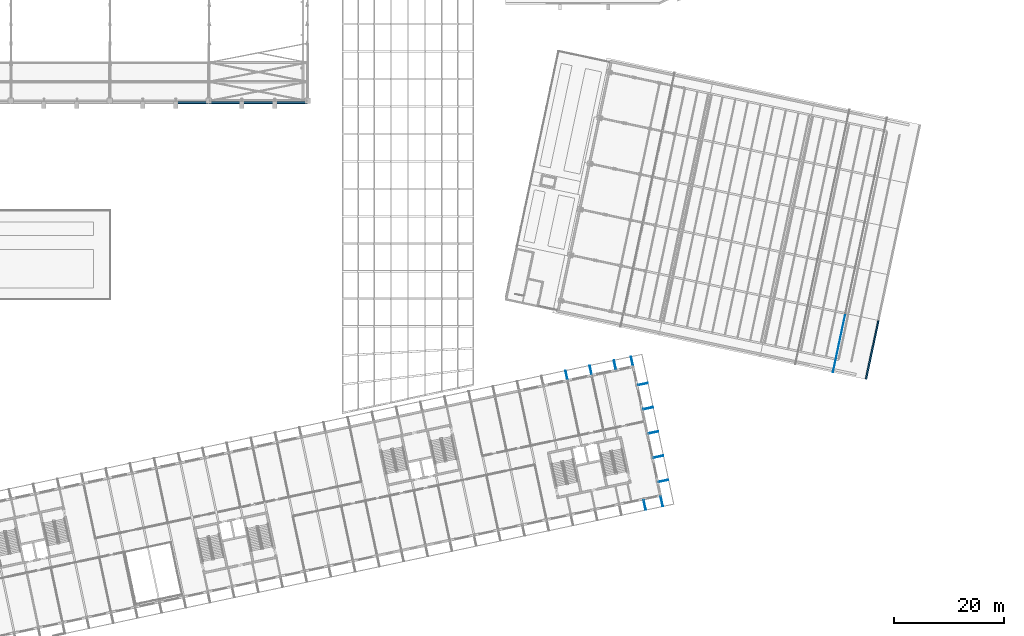
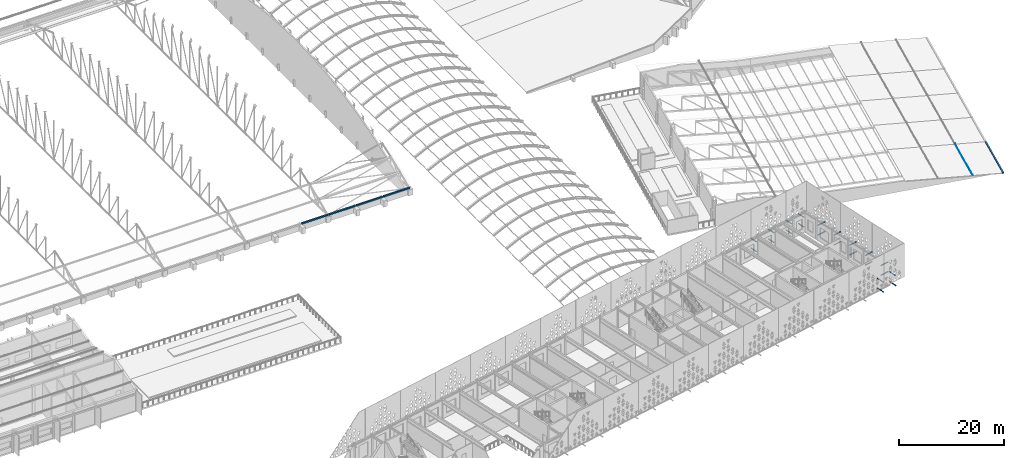
# One storey, part 136 of 196: 28 discrete accessories.
"""IFC4 building model written with IfcOpenShell, lengths in metres."""

from ifc_helpers import new_model, si_unit, direction, frame, origin, origin_2d, place, context, subcontext, project, spatial, polyline, rectangle, outline, extrude, material, material_profile, profile_set, type_object, element, save


model = new_model("IFC4")

# Units and contexts
model_context = context("Model", 3, precision=1e-05, world=origin(), true_north=direction((0.0, 1.0)))
body_context = subcontext(model_context, "Body", "Model", "MODEL_VIEW")
ifc_project = project(units=[si_unit("LENGTHUNIT", "METRE"), si_unit("AREAUNIT", "SQUARE_METRE"), si_unit("VOLUMEUNIT", "CUBIC_METRE"), si_unit("PLANEANGLEUNIT", "RADIAN"), si_unit("MASSUNIT", "GRAM", prefix="KILO")], contexts=[model_context])

# Site, building, storey
site_placement = place(None, origin())
site = spatial("IfcSite", under=ifc_project, at=site_placement, CompositionType="ELEMENT")
building_placement = place(site_placement, origin())
building = spatial("IfcBuilding", under=site, at=building_placement, Name="Okhra Congress Centre", CompositionType="ELEMENT")
storey_placement = place(building_placement, frame((0.0, 0.0, 12.0)))
storey = spatial("IfcBuildingStorey", under=building, at=storey_placement, Name="L02", CompositionType="ELEMENT", Elevation=12.0)

# Discrete accessories
ifc_material_1 = material(Name="Stainless steel box gutter with self-regulating heating cable", Category="steel")
discrete_accessory_type_1 = type_object("IfcDiscreteAccessoryType", Name="Heated box gutter 350x300", PredefinedType="USERDEFINED", material=ifc_material_1)
for number, where, z_axis, x_axis, name in (
    (1, (133.0, 131.69189453125, 1.59228515625), (0.0, 0.0, 1.0), (1.0, 0.0, 0.0), "Heated box gutter"),
    (2, (139.0, 131.69189453125, 1.59228515625), (0.0, 0.0, 1.0), (1.0, 0.0, 0.0), "Heated box gutter"),
    (3, (145.0, 131.69189453125, 1.59228515625), (0.0, 0.0, 1.0), (1.0, 0.0, 0.0), "Heated box gutter"),
    (4, (151.0, 131.69189453125, 1.59228515625), (0.0, 0.0, 1.0), (1.0, 0.0, 0.0), "Heated box gutter"),
):
    element("IfcDiscreteAccessory", number, at=place(storey_placement, frame(where, z_axis=z_axis, x_axis=x_axis)), inside=storey, type_object=discrete_accessory_type_1, Name=name, ObjectType="HEATED GUTTER", PredefinedType="USERDEFINED", context=body_context, shape_type="SweptSolid", body=[
        extrude(rectangle(XDim=5.800048828125, YDim=0.35009765625, at=origin_2d()), origin(), (0.0, 0.0, 1.0), 0.300048828125),
    ])
discrete_accessory_type_2 = type_object("IfcDiscreteAccessoryType", Name="Heated eaves gutter 300x300", PredefinedType="USERDEFINED", material=ifc_material_1)
discrete_accessory_1_placement = place(storey_placement, frame((256.67529296875, 86.70947265625, -0.09423828125), z_axis=(0.0, 0.0, 1.0), x_axis=(0.978147600734, -0.207911690818, 0.0)))
element("IfcDiscreteAccessory", 5, at=discrete_accessory_1_placement, inside=storey, type_object=discrete_accessory_type_2, Name="Heated eaves gutter", ObjectType="HEATED GUTTER", PredefinedType="USERDEFINED", context=body_context, shape_type="SweptSolid", body=[
    extrude(rectangle(XDim=0.300048828125, YDim=10.85009765625, at=origin_2d()), origin(), (0.0, 0.0, 1.0), 0.300048828125),
])
ifc_material_2 = material(Name="Steel S355J2 outrigger, galvanised", Category="steel")
ifc_material_profile = material_profile(ifc_material_2, rectangle(XDim=0.1201171875, YDim=0.1201171875, at=origin_2d()), Name="Screen outrigger bracket 120x120")
ifc_profile_set = profile_set([ifc_material_profile], Name="Steel S355J2 outrigger, galvanised")
discrete_accessory_type_3 = type_object("IfcDiscreteAccessoryType", Name="Screen outrigger bracket 120x120", PredefinedType="BRACKET", material=ifc_profile_set)
for number, where, z_axis, x_axis, name in (
    (6, (201.230224609375, 81.374755859375, 0.81005859375), (-0.207920316953, 0.978145767152, 0.0), (-0.978145767152, -0.207920316953, 0.0), "Screen outrigger 607"),
    (7, (201.230224609375, 81.374755859375, 3.070068359375), (-0.207920316953, 0.978145767152, 0.0), (-0.978145767152, -0.207920316953, 0.0), "Screen outrigger 608"),
):
    element("IfcDiscreteAccessory", number, at=place(storey_placement, frame(where, z_axis=z_axis, x_axis=x_axis)), inside=storey, type_object=discrete_accessory_type_3, Name=name, PredefinedType="BRACKET", context=body_context, shape_type="SweptSolid", body=[
        extrude(rectangle(XDim=0.1201171875, YDim=0.1201171875, at=origin_2d()), origin(), (0.0, 0.0, 1.0), 1.565185546875),
    ])
for number, where, z_axis, x_axis, name in (
    (8, (205.6318359375, 82.310546875, 0.81005859375), (-0.207802780084, 0.978170744088, 0.0), (-0.978170744088, -0.207802780084, 0.0), "Screen outrigger 629"),
    (9, (205.6318359375, 82.310546875, 3.070068359375), (-0.207802780084, 0.978170744088, 0.0), (-0.978170744088, -0.207802780084, 0.0), "Screen outrigger 630"),
):
    element("IfcDiscreteAccessory", number, at=place(storey_placement, frame(where, z_axis=z_axis, x_axis=x_axis)), inside=storey, type_object=discrete_accessory_type_3, Name=name, PredefinedType="BRACKET", context=body_context, shape_type="SweptSolid", body=[
        extrude(rectangle(XDim=0.1201171875, YDim=0.1201171875, at=origin_2d()), origin(), (0.0, 0.0, 1.0), 1.56494140625),
    ])
for number, where, z_axis, x_axis, name in (
    (10, (215.114990234375, 59.340087890625, 0.81005859375), (0.207913352163, -0.978147247602, 0.0), (0.978147247602, 0.207913352163, 0.0), "Screen outrigger 640"),
    (11, (215.114990234375, 59.340087890625, 3.070068359375), (0.207913352163, -0.978147247602, 0.0), (0.978147247602, 0.207913352163, 0.0), "Screen outrigger 641"),
):
    element("IfcDiscreteAccessory", number, at=place(storey_placement, frame(where, z_axis=z_axis, x_axis=x_axis)), inside=storey, type_object=discrete_accessory_type_3, Name=name, PredefinedType="BRACKET", context=body_context, shape_type="SweptSolid", body=[
        extrude(rectangle(XDim=0.1201171875, YDim=0.1201171875, at=origin_2d()), origin(), (0.0, 0.0, 1.0), 1.764892578125),
    ])
for number, where, z_axis, x_axis, name in (
    (12, (210.03369140625, 83.24609375, 0.81005859375), (-0.207952044176, 0.978139022493, 0.0), (-0.978139022493, -0.207952044176, 0.0), "Screen outrigger 651"),
    (13, (210.03369140625, 83.24609375, 3.070068359375), (-0.207952044176, 0.978139022493, 0.0), (-0.978139022493, -0.207952044176, 0.0), "Screen outrigger 652"),
):
    element("IfcDiscreteAccessory", number, at=place(storey_placement, frame(where, z_axis=z_axis, x_axis=x_axis)), inside=storey, type_object=discrete_accessory_type_3, Name=name, PredefinedType="BRACKET", context=body_context, shape_type="SweptSolid", body=[
        extrude(rectangle(XDim=0.1201171875, YDim=0.1201171875, at=origin_2d()), origin(), (0.0, 0.0, 1.0), 1.56494140625),
    ])
for number, where, z_axis, x_axis, name in (
    (14, (218.220703125, 60.000244140625, 0.81005859375), (0.207913352163, -0.978147247602, 0.0), (0.978147247602, 0.207913352163, 0.0), "Screen outrigger 662"),
    (15, (218.220703125, 60.000244140625, 3.070068359375), (0.207913352163, -0.978147247602, 0.0), (0.978147247602, 0.207913352163, 0.0), "Screen outrigger 663"),
):
    element("IfcDiscreteAccessory", number, at=place(storey_placement, frame(where, z_axis=z_axis, x_axis=x_axis)), inside=storey, type_object=discrete_accessory_type_3, Name=name, PredefinedType="BRACKET", context=body_context, shape_type="SweptSolid", body=[
        extrude(rectangle(XDim=0.1201171875, YDim=0.1201171875, at=origin_2d()), origin(), (0.0, 0.0, 1.0), 1.764892578125),
    ])
for number, where, z_axis, x_axis, name in (
    (16, (213.13916015625, 83.90625, 0.81005859375), (-0.207802780084, 0.978170744088, 0.0), (-0.978170744088, -0.207802780084, 0.0), "Screen outrigger 673"),
    (17, (213.13916015625, 83.90625, 3.070068359375), (-0.207802780084, 0.978170744088, 0.0), (-0.978170744088, -0.207802780084, 0.0), "Screen outrigger 674"),
):
    element("IfcDiscreteAccessory", number, at=place(storey_placement, frame(where, z_axis=z_axis, x_axis=x_axis)), inside=storey, type_object=discrete_accessory_type_3, Name=name, PredefinedType="BRACKET", context=body_context, shape_type="SweptSolid", body=[
        extrude(rectangle(XDim=0.1201171875, YDim=0.1201171875, at=origin_2d()), origin(), (0.0, 0.0, 1.0), 1.56494140625),
    ])
for number, where, z_axis, x_axis, name in (
    (18, (217.871337890625, 62.70166015625, 0.81005859375), (0.978147247602, 0.207913352163, 0.0), (-0.207913352163, 0.978147247602, 0.0), "Screen outrigger 692"),
    (19, (217.871337890625, 62.70166015625, 3.070068359375), (0.978147247602, 0.207913352163, 0.0), (-0.207913352163, 0.978147247602, 0.0), "Screen outrigger 693"),
    (20, (216.935791015625, 67.103271484375, 0.81005859375), (0.978147247602, 0.207913352163, 0.0), (-0.207913352163, 0.978147247602, 0.0), "Screen outrigger 710"),
    (21, (216.935791015625, 67.103271484375, 3.070068359375), (0.978147247602, 0.207913352163, 0.0), (-0.207913352163, 0.978147247602, 0.0), "Screen outrigger 711"),
):
    element("IfcDiscreteAccessory", number, at=place(storey_placement, frame(where, z_axis=z_axis, x_axis=x_axis)), inside=storey, type_object=discrete_accessory_type_3, Name=name, PredefinedType="BRACKET", context=body_context, shape_type="SweptSolid", body=[
        extrude(rectangle(XDim=0.1201171875, YDim=0.1201171875, at=origin_2d()), origin(), (0.0, 0.0, 1.0), 1.764892578125),
    ])
for number, where, z_axis, x_axis, name in (
    (22, (216.0, 71.5048828125, 0.81005859375), (0.978125092897, 0.208017553693, 0.0), (-0.208017553693, 0.978125092897, 0.0), "Screen outrigger 728"),
    (23, (216.0, 71.5048828125, 3.070068359375), (0.978125092897, 0.208017553693, 0.0), (-0.208017553693, 0.978125092897, 0.0), "Screen outrigger 729"),
    (24, (215.064453125, 75.90673828125, 0.81005859375), (0.97815322621, 0.207885223274, 0.0), (-0.207885223274, 0.97815322621, 0.0), "Screen outrigger 746"),
    (25, (215.064453125, 75.90673828125, 3.070068359375), (0.97815322621, 0.207885223274, 0.0), (-0.207885223274, 0.97815322621, 0.0), "Screen outrigger 747"),
):
    element("IfcDiscreteAccessory", number, at=place(storey_placement, frame(where, z_axis=z_axis, x_axis=x_axis)), inside=storey, type_object=discrete_accessory_type_3, Name=name, PredefinedType="BRACKET", context=body_context, shape_type="SweptSolid", body=[
        extrude(rectangle(XDim=0.1201171875, YDim=0.1201171875, at=origin_2d()), origin(), (0.0, 0.0, 1.0), 1.76513671875),
    ])
for number, where, z_axis, x_axis, name in (
    (26, (214.12890625, 80.308349609375, 0.81005859375), (0.978147247602, 0.207913352163, 0.0), (-0.207913352163, 0.978147247602, 0.0), "Screen outrigger 764"),
    (27, (214.12890625, 80.308349609375, 3.070068359375), (0.978147247602, 0.207913352163, 0.0), (-0.207913352163, 0.978147247602, 0.0), "Screen outrigger 765"),
):
    element("IfcDiscreteAccessory", number, at=place(storey_placement, frame(where, z_axis=z_axis, x_axis=x_axis)), inside=storey, type_object=discrete_accessory_type_3, Name=name, PredefinedType="BRACKET", context=body_context, shape_type="SweptSolid", body=[
        extrude(rectangle(XDim=0.1201171875, YDim=0.1201171875, at=origin_2d()), origin(), (0.0, 0.0, 1.0), 1.764892578125),
    ])
ifc_material_3 = material(Name="Stainless steel snow retention bar clamped to the standing seams", Category="steel")
discrete_accessory_type_4 = type_object("IfcDiscreteAccessoryType", Name="Snow guard bar 40x120", PredefinedType="USERDEFINED", material=ifc_material_3)
discrete_accessory_2_placement = place(storey_placement, frame((249.531982421875, 82.681640625, 0.963623046875), z_axis=(0.124190462964, -0.026396544342, 0.991907229208), x_axis=(0.970242835092, -0.206176604743, -0.126964753415)))
element("IfcDiscreteAccessory", 28, at=discrete_accessory_2_placement, inside=storey, type_object=discrete_accessory_type_4, Name="Snow guard bar", ObjectType="SNOW GUARD", PredefinedType="USERDEFINED", context=body_context, shape_type="SweptSolid", body=[
    extrude(outline(polyline([(0.0, 0.0), (0.04026247997989754, -2.3174821436877657e-18), (0.040884254412143876, 10.849897498616825), (0.0003848987400845161, 10.849846751669684), (0.0, 0.0)])), origin(), (0.0, 0.0, -1.0), 0.1201171875),
])

save(model, "model.ifc")
